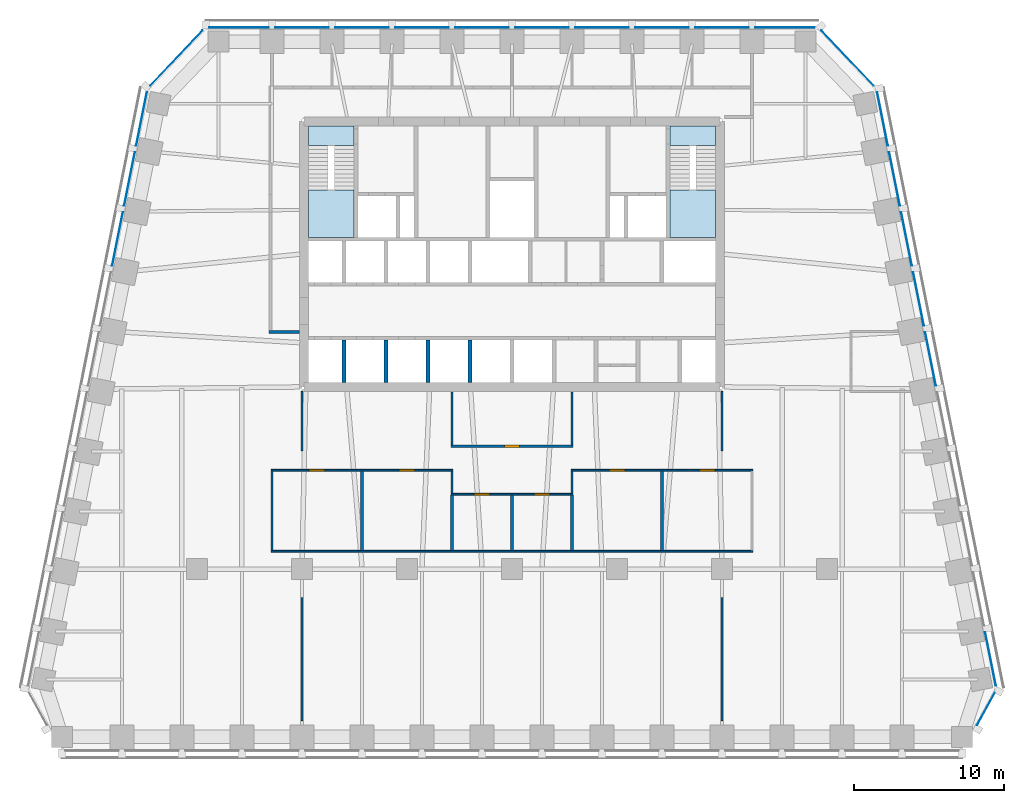
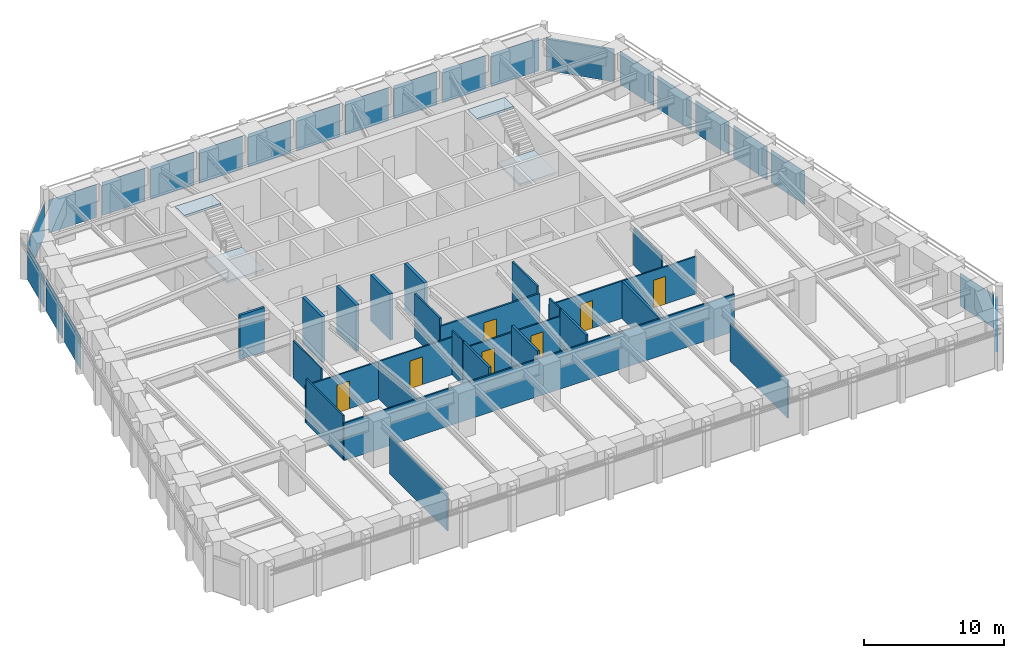
# One storey, part 5 of 10: 24 walls, 22 plates, 7 doors, 4 slabs, 7 openings, 8 elements without a shape of their own.
"""IFC4 building model written with IfcOpenShell, lengths in metres."""

from ifc_helpers import new_model, si_unit, direction, frame, frame_2d, origin, origin_2d, place, context, subcontext, project, spatial, polyline, rectangle, outline, extrude, material, layer, layer_set, type_object, element, fill, aggregate, save


model = new_model("IFC4")

# Units and contexts
model_context = context("Model", 3, precision=1e-05, world=origin(), true_north=direction((0.0, 1.0)))
body_context = subcontext(model_context, "Body", "Model", "MODEL_VIEW")
ifc_project = project(units=[si_unit("LENGTHUNIT", "METRE"), si_unit("AREAUNIT", "SQUARE_METRE"), si_unit("VOLUMEUNIT", "CUBIC_METRE"), si_unit("PLANEANGLEUNIT", "RADIAN"), si_unit("MASSUNIT", "GRAM", prefix="KILO")], contexts=[model_context])

# Site, building, storey
site_placement = place(None, origin())
site = spatial("IfcSite", under=ifc_project, at=site_placement, CompositionType="ELEMENT")
building_placement = place(site_placement, origin())
building = spatial("IfcBuilding", under=site, at=building_placement, Name="Isbrekke Arena Tower", CompositionType="ELEMENT")
storey_placement = place(building_placement, frame((0.0, 0.0, 182.0)))
storey = spatial("IfcBuildingStorey", under=building, at=storey_placement, Name="L41", CompositionType="ELEMENT", Elevation=182.0)

# Curtain wall, plate
ifc_material_1 = material(Name="Glazed aluminium curtain wall", Category="aluminium")
curtain_wall_type = type_object("IfcCurtainWallType", Name="CWH TOWER CURTAIN WALL HIGH ZONE", PredefinedType="USERDEFINED", material=ifc_material_1)
curtain_wall_1_placement = place(storey_placement, origin())
curtain_wall_1 = element("IfcCurtainWall", 1, at=curtain_wall_1_placement, inside=storey, type_object=curtain_wall_type, Name="CWH curtain wall L41-SE", ObjectType="TOWER CURTAIN WALL HIGH ZONE", PredefinedType="USERDEFINED")
ifc_material_2 = material(Name="Triple-glazed clear glass unit", Category="glass")
ifc_layer_1 = layer(ifc_material_2, 0.031982421875)
ifc_layer_set_1 = layer_set([ifc_layer_1], Name="CWH-P VISION PANEL")
plate_type = type_object("IfcPlateType", Name="CWH-P VISION PANEL", PredefinedType="CURTAIN_PANEL", material=ifc_layer_set_1)
plate_1_placement = place(storey_placement, frame((31.5908203125, -15.3154296875, 0.02001953125), z_axis=(0.0, 0.0, 1.0), x_axis=(0.481918749773, 0.876215908676, 0.0)))
plate_1 = element("IfcPlate", 2, at=plate_1_placement, type_object=plate_type, Name="CWH-P panel 1", PredefinedType="CURTAIN_PANEL", context=body_context, shape_type="SweptSolid", body=[
    extrude(rectangle(XDim=2.4423828125, YDim=0.031982421875, at=origin_2d()), origin(), (0.0, 0.0, 1.0), 2.8798828125),
])
aggregate(curtain_wall_1, [plate_1])

# Curtain wall, plates
curtain_wall_2_placement = place(storey_placement, origin())
curtain_wall_2 = element("IfcCurtainWall", 3, at=curtain_wall_2_placement, inside=storey, type_object=curtain_wall_type, Name="CWH curtain wall L41-E", ObjectType="TOWER CURTAIN WALL HIGH ZONE", PredefinedType="USERDEFINED")
plate_2_placement = place(storey_placement, frame((31.89794921875, -11.98046875, 0.02001953125), z_axis=(0.0, 0.0, 1.0), x_axis=(-0.196116135138, 0.980580675691, 0.0)))
plate_2 = element("IfcPlate", 4, at=plate_2_placement, type_object=plate_type, Name="CWH-P panel 1", PredefinedType="CURTAIN_PANEL", context=body_context, shape_type="SweptSolid", body=[
    extrude(rectangle(XDim=3.629150390625, YDim=0.031982421875, at=origin_2d()), origin(), (0.0, 0.0, 1.0), 2.8798828125),
])
plate_3_placement = place(storey_placement, frame((27.89794921875, 8.01953125, 0.02001953125), z_axis=(0.0, 0.0, 1.0), x_axis=(-0.196116135138, 0.980580675691, 0.0)))
plate_3 = element("IfcPlate", 5, at=plate_3_placement, type_object=plate_type, Name="CWH-P panel 6", PredefinedType="CURTAIN_PANEL", context=body_context, shape_type="SweptSolid", body=[
    extrude(rectangle(XDim=3.629150390625, YDim=0.031982421875, at=origin_2d()), origin(), (0.0, 0.0, 1.0), 2.8798828125),
])
plate_4_placement = place(storey_placement, frame((27.09814453125, 12.01953125, 0.02001953125), z_axis=(0.0, 0.0, 1.0), x_axis=(-0.196116135138, 0.980580675691, 0.0)))
plate_4 = element("IfcPlate", 6, at=plate_4_placement, type_object=plate_type, Name="CWH-P panel 7", PredefinedType="CURTAIN_PANEL", context=body_context, shape_type="SweptSolid", body=[
    extrude(rectangle(XDim=3.629150390625, YDim=0.031982421875, at=origin_2d()), origin(), (0.0, 0.0, 1.0), 2.8798828125),
])
plate_5_placement = place(storey_placement, frame((26.298095703125, 16.01953125, 0.02001953125), z_axis=(0.0, 0.0, 1.0), x_axis=(-0.196116135138, 0.980580675691, 0.0)))
plate_5 = element("IfcPlate", 7, at=plate_5_placement, type_object=plate_type, Name="CWH-P panel 8", PredefinedType="CURTAIN_PANEL", context=body_context, shape_type="SweptSolid", body=[
    extrude(rectangle(XDim=3.629150390625, YDim=0.031982421875, at=origin_2d()), origin(), (0.0, 0.0, 1.0), 2.8798828125),
])
plate_6_placement = place(storey_placement, frame((25.498046875, 20.01953125, 0.02001953125), z_axis=(0.0, 0.0, 1.0), x_axis=(-0.196116135138, 0.980580675691, 0.0)))
plate_6 = element("IfcPlate", 8, at=plate_6_placement, type_object=plate_type, Name="CWH-P panel 9", PredefinedType="CURTAIN_PANEL", context=body_context, shape_type="SweptSolid", body=[
    extrude(rectangle(XDim=3.629150390625, YDim=0.031982421875, at=origin_2d()), origin(), (0.0, 0.0, 1.0), 2.8798828125),
])
plate_7_placement = place(storey_placement, frame((24.697998046875, 24.01953125, 0.02001953125), z_axis=(0.0, 0.0, 1.0), x_axis=(-0.196116135138, 0.980580675691, 0.0)))
plate_7 = element("IfcPlate", 9, at=plate_7_placement, type_object=plate_type, Name="CWH-P panel 10", PredefinedType="CURTAIN_PANEL", context=body_context, shape_type="SweptSolid", body=[
    extrude(rectangle(XDim=3.629150390625, YDim=0.031982421875, at=origin_2d()), origin(), (0.0, 0.0, 1.0), 2.8798828125),
])
aggregate(curtain_wall_2, [plate_2, plate_3, plate_4, plate_5, plate_6, plate_7])

# Curtain wall, plate
curtain_wall_3_placement = place(storey_placement, origin())
curtain_wall_3 = element("IfcCurtainWall", 10, at=curtain_wall_3_placement, inside=storey, type_object=curtain_wall_type, Name="CWH curtain wall L41-EN", ObjectType="TOWER CURTAIN WALL HIGH ZONE", PredefinedType="USERDEFINED")
plate_8_placement = place(storey_placement, frame((22.37255859375, 28.06884765625, 0.02001953125), z_axis=(0.0, 0.0, 1.0), x_axis=(-0.68874946192, 0.72499943359, 0.0)))
plate_8 = element("IfcPlate", 11, at=plate_8_placement, type_object=plate_type, Name="CWH-P panel 1", PredefinedType="CURTAIN_PANEL", context=body_context, shape_type="SweptSolid", body=[
    extrude(rectangle(XDim=5.067138671875, YDim=0.031982421875, at=origin_2d()), origin(), (0.0, 0.0, 1.0), 2.8798828125),
])
aggregate(curtain_wall_3, [plate_8])

# Curtain wall, plates
curtain_wall_4_placement = place(storey_placement, origin())
curtain_wall_4 = element("IfcCurtainWall", 12, at=curtain_wall_4_placement, inside=storey, type_object=curtain_wall_type, Name="CWH curtain wall L41-N", ObjectType="TOWER CURTAIN WALL HIGH ZONE", PredefinedType="USERDEFINED")
plate_9_placement = place(storey_placement, frame((18.199951171875, 30.10009765625, 0.02001953125), z_axis=(0.0, 0.0, 1.0), x_axis=(-1.0, 0.0, 0.0)))
plate_9 = element("IfcPlate", 13, at=plate_9_placement, type_object=plate_type, Name="CWH-P panel 1", PredefinedType="CURTAIN_PANEL", context=body_context, shape_type="SweptSolid", body=[
    extrude(rectangle(XDim=3.949951171875, YDim=0.031982421875, at=origin_2d()), origin(), (0.0, 0.0, 1.0), 2.8798828125),
])
plate_10_placement = place(storey_placement, frame((14.0, 30.10009765625, 0.02001953125), z_axis=(0.0, 0.0, 1.0), x_axis=(-1.0, 0.0, 0.0)))
plate_10 = element("IfcPlate", 14, at=plate_10_placement, type_object=plate_type, Name="CWH-P panel 2", PredefinedType="CURTAIN_PANEL", context=body_context, shape_type="SweptSolid", body=[
    extrude(rectangle(XDim=3.550048828125, YDim=0.031982421875, at=origin_2d()), origin(), (0.0, 0.0, 1.0), 2.8798828125),
])
plate_11_placement = place(storey_placement, frame((10.0, 30.10009765625, 0.02001953125), z_axis=(0.0, 0.0, 1.0), x_axis=(-1.0, 0.0, 0.0)))
plate_11 = element("IfcPlate", 15, at=plate_11_placement, type_object=plate_type, Name="CWH-P panel 3", PredefinedType="CURTAIN_PANEL", context=body_context, shape_type="SweptSolid", body=[
    extrude(rectangle(XDim=3.550048828125, YDim=0.031982421875, at=origin_2d()), origin(), (0.0, 0.0, 1.0), 2.8798828125),
])
plate_12_placement = place(storey_placement, frame((6.0, 30.10009765625, 0.02001953125), z_axis=(0.0, 0.0, 1.0), x_axis=(-1.0, 0.0, 0.0)))
plate_12 = element("IfcPlate", 16, at=plate_12_placement, type_object=plate_type, Name="CWH-P panel 4", PredefinedType="CURTAIN_PANEL", context=body_context, shape_type="SweptSolid", body=[
    extrude(rectangle(XDim=3.550048828125, YDim=0.031982421875, at=origin_2d()), origin(), (0.0, 0.0, 1.0), 2.8798828125),
])
plate_13_placement = place(storey_placement, frame((2.0, 30.10009765625, 0.02001953125), z_axis=(0.0, 0.0, 1.0), x_axis=(-1.0, 0.0, 0.0)))
plate_13 = element("IfcPlate", 17, at=plate_13_placement, type_object=plate_type, Name="CWH-P panel 5", PredefinedType="CURTAIN_PANEL", context=body_context, shape_type="SweptSolid", body=[
    extrude(rectangle(XDim=3.550048828125, YDim=0.031982421875, at=origin_2d()), origin(), (0.0, 0.0, 1.0), 2.8798828125),
])
plate_14_placement = place(storey_placement, frame((-2.0, 30.10009765625, 0.02001953125), z_axis=(0.0, 0.0, 1.0), x_axis=(-1.0, 0.0, 0.0)))
plate_14 = element("IfcPlate", 18, at=plate_14_placement, type_object=plate_type, Name="CWH-P panel 6", PredefinedType="CURTAIN_PANEL", context=body_context, shape_type="SweptSolid", body=[
    extrude(rectangle(XDim=3.550048828125, YDim=0.031982421875, at=origin_2d()), origin(), (0.0, 0.0, 1.0), 2.8798828125),
])
plate_15_placement = place(storey_placement, frame((-6.0, 30.10009765625, 0.02001953125), z_axis=(0.0, 0.0, 1.0), x_axis=(-1.0, 0.0, 0.0)))
plate_15 = element("IfcPlate", 19, at=plate_15_placement, type_object=plate_type, Name="CWH-P panel 7", PredefinedType="CURTAIN_PANEL", context=body_context, shape_type="SweptSolid", body=[
    extrude(rectangle(XDim=3.550048828125, YDim=0.031982421875, at=origin_2d()), origin(), (0.0, 0.0, 1.0), 2.8798828125),
])
plate_16_placement = place(storey_placement, frame((-10.0, 30.10009765625, 0.02001953125), z_axis=(0.0, 0.0, 1.0), x_axis=(-1.0, 0.0, 0.0)))
plate_16 = element("IfcPlate", 20, at=plate_16_placement, type_object=plate_type, Name="CWH-P panel 8", PredefinedType="CURTAIN_PANEL", context=body_context, shape_type="SweptSolid", body=[
    extrude(rectangle(XDim=3.550048828125, YDim=0.031982421875, at=origin_2d()), origin(), (0.0, 0.0, 1.0), 2.8798828125),
])
plate_17_placement = place(storey_placement, frame((-14.0, 30.10009765625, 0.02001953125), z_axis=(0.0, 0.0, 1.0), x_axis=(-1.0, 0.0, 0.0)))
plate_17 = element("IfcPlate", 21, at=plate_17_placement, type_object=plate_type, Name="CWH-P panel 9", PredefinedType="CURTAIN_PANEL", context=body_context, shape_type="SweptSolid", body=[
    extrude(rectangle(XDim=3.550048828125, YDim=0.031982421875, at=origin_2d()), origin(), (0.0, 0.0, 1.0), 2.8798828125),
])
plate_18_placement = place(storey_placement, frame((-18.199951171875, 30.10009765625, 0.02001953125), z_axis=(0.0, 0.0, 1.0), x_axis=(-1.0, 0.0, 0.0)))
plate_18 = element("IfcPlate", 22, at=plate_18_placement, type_object=plate_type, Name="CWH-P panel 10", PredefinedType="CURTAIN_PANEL", context=body_context, shape_type="SweptSolid", body=[
    extrude(rectangle(XDim=3.949951171875, YDim=0.031982421875, at=origin_2d()), origin(), (0.0, 0.0, 1.0), 2.8798828125),
])
aggregate(curtain_wall_4, [plate_9, plate_10, plate_11, plate_12, plate_13, plate_14, plate_15, plate_16, plate_17, plate_18])

# Curtain wall, plate
curtain_wall_5_placement = place(storey_placement, origin())
curtain_wall_5 = element("IfcCurtainWall", 23, at=curtain_wall_5_placement, inside=storey, type_object=curtain_wall_type, Name="CWH curtain wall L41-NW", ObjectType="TOWER CURTAIN WALL HIGH ZONE", PredefinedType="USERDEFINED")
plate_19_placement = place(storey_placement, frame((-22.37255859375, 28.06884765625, 0.02001953125), z_axis=(0.0, 0.0, 1.0), x_axis=(-0.68874946192, -0.72499943359, 0.0)))
plate_19 = element("IfcPlate", 24, at=plate_19_placement, type_object=plate_type, Name="CWH-P panel 1", PredefinedType="CURTAIN_PANEL", context=body_context, shape_type="SweptSolid", body=[
    extrude(rectangle(XDim=5.067138671875, YDim=0.031982421875, at=origin_2d()), origin(), (0.0, 0.0, 1.0), 2.8798828125),
])
aggregate(curtain_wall_5, [plate_19])

# Curtain wall, plates
curtain_wall_6_placement = place(storey_placement, origin())
curtain_wall_6 = element("IfcCurtainWall", 25, at=curtain_wall_6_placement, inside=storey, type_object=curtain_wall_type, Name="CWH curtain wall L41-W", ObjectType="TOWER CURTAIN WALL HIGH ZONE", PredefinedType="USERDEFINED")
plate_20_placement = place(storey_placement, frame((-24.697998046875, 24.01953125, 0.02001953125), z_axis=(0.0, 0.0, 1.0), x_axis=(-0.196116135138, -0.980580675691, 0.0)))
plate_20 = element("IfcPlate", 26, at=plate_20_placement, type_object=plate_type, Name="CWH-P panel 1", PredefinedType="CURTAIN_PANEL", context=body_context, shape_type="SweptSolid", body=[
    extrude(rectangle(XDim=3.629150390625, YDim=0.031982421875, at=origin_2d()), origin(), (0.0, 0.0, 1.0), 2.8798828125),
])
plate_21_placement = place(storey_placement, frame((-25.498046875, 20.01953125, 0.02001953125), z_axis=(0.0, 0.0, 1.0), x_axis=(-0.196116135138, -0.980580675691, 0.0)))
plate_21 = element("IfcPlate", 27, at=plate_21_placement, type_object=plate_type, Name="CWH-P panel 2", PredefinedType="CURTAIN_PANEL", context=body_context, shape_type="SweptSolid", body=[
    extrude(rectangle(XDim=3.629150390625, YDim=0.031982421875, at=origin_2d()), origin(), (0.0, 0.0, 1.0), 2.8798828125),
])
plate_22_placement = place(storey_placement, frame((-26.298095703125, 16.01953125, 0.02001953125), z_axis=(0.0, 0.0, 1.0), x_axis=(-0.196116135138, -0.980580675691, 0.0)))
plate_22 = element("IfcPlate", 28, at=plate_22_placement, type_object=plate_type, Name="CWH-P panel 3", PredefinedType="CURTAIN_PANEL", context=body_context, shape_type="SweptSolid", body=[
    extrude(rectangle(XDim=3.629150390625, YDim=0.031982421875, at=origin_2d()), origin(), (0.0, 0.0, 1.0), 2.8798828125),
])
aggregate(curtain_wall_6, [plate_20, plate_21, plate_22])

# Stair, slabs
ifc_material_3 = material(Name="Concrete B45 (C45/55) precast", Category="concrete")
stair_type = type_object("IfcStairType", Name="ST40 STAIR 1300 WIDE, 24 RISERS 167", PredefinedType="HALF_TURN_STAIR", material=ifc_material_3)
stair_1_placement = place(storey_placement, origin())
stair_1 = element("IfcStair", 29, at=stair_1_placement, inside=storey, type_object=stair_type, Name="ST1 stair L41", PredefinedType="HALF_TURN_STAIR")
ifc_material_4 = material(Name="Concrete B35 (C35/45)", Category="concrete")
ifc_layer_2 = layer(ifc_material_4, 0.199951171875)
ifc_layer_set_2 = layer_set([ifc_layer_2], Name="SL1 STAIR LANDING 200")
slab_type = type_object("IfcSlabType", Name="SL1 STAIR LANDING 200", PredefinedType="LANDING", material=ifc_layer_set_2)
slab_1_placement = place(storey_placement, frame((0.0, 0.0, 1.800048828125)))
slab_1 = element("IfcSlab", 30, at=slab_1_placement, type_object=slab_type, Name="ST1 landing 1", PredefinedType="LANDING", context=body_context, shape_type="SweptSolid", body=[
    extrude(outline(polyline([(-13.550048828125, 16.125), (-10.52490234375, 16.125), (-10.52490234375, 19.280029296875), (-13.550048828125, 19.280029296875), (-13.550048828125, 16.125)])), origin(), (0.0, 0.0, 1.0), 0.199951171875),
])
slab_2_placement = place(storey_placement, frame((0.0, 0.0, 3.800048828125)))
slab_2 = element("IfcSlab", 31, at=slab_2_placement, type_object=slab_type, Name="ST1 landing 2", PredefinedType="LANDING", context=body_context, shape_type="SweptSolid", body=[
    extrude(outline(polyline([(-13.550048828125, 22.25), (-10.52490234375, 22.25), (-10.52490234375, 23.550048828125), (-13.550048828125, 23.550048828125), (-13.550048828125, 22.25)])), origin(), (0.0, 0.0, 1.0), 0.199951171875),
])
aggregate(stair_1, [slab_1, slab_2])

stair_2_placement = place(storey_placement, origin())
stair_2 = element("IfcStair", 32, at=stair_2_placement, inside=storey, type_object=stair_type, Name="ST2 stair L41", PredefinedType="HALF_TURN_STAIR")
slab_3_placement = place(storey_placement, frame((0.0, 0.0, 1.800048828125)))
slab_3 = element("IfcSlab", 33, at=slab_3_placement, type_object=slab_type, Name="ST2 landing 1", PredefinedType="LANDING", context=body_context, shape_type="SweptSolid", body=[
    extrude(outline(polyline([(10.52490234375, 16.125), (13.550048828125, 16.125), (13.550048828125, 19.280029296875), (10.52490234375, 19.280029296875), (10.52490234375, 16.125)])), origin(), (0.0, 0.0, 1.0), 0.199951171875),
])
slab_4_placement = place(storey_placement, frame((0.0, 0.0, 3.800048828125)))
slab_4 = element("IfcSlab", 34, at=slab_4_placement, type_object=slab_type, Name="ST2 landing 2", PredefinedType="LANDING", context=body_context, shape_type="SweptSolid", body=[
    extrude(outline(polyline([(10.52490234375, 22.25), (13.550048828125, 22.25), (13.550048828125, 23.550048828125), (10.52490234375, 23.550048828125), (10.52490234375, 22.25)])), origin(), (0.0, 0.0, 1.0), 0.199951171875),
])
aggregate(stair_2, [slab_3, slab_4])

# Walls
ifc_material_5 = material(Name="Concrete B45 (C45/55)", Category="concrete")
ifc_layer_3 = layer(ifc_material_5, 0.25)
ifc_layer_set_3 = layer_set([ifc_layer_3], Name="CW6 SHAFT WALL 250")
wall_type_1 = type_object("IfcWallType", Name="CW6 SHAFT WALL 250", PredefinedType="SHEAR", material=ifc_layer_set_3)
for number, where, z_axis, x_axis, name in (
    (35, (-11.199951171875, 6.449951171875, 0.0), (0.0, 0.0, 1.0), (0.0, 1.0, 0.0), "Core wall SS01 L41"),
    (36, (-8.39990234375, 6.449951171875, 0.0), (0.0, 0.0, 1.0), (0.0, 1.0, 0.0), "Core wall SS02 L41"),
    (37, (-5.60009765625, 6.449951171875, 0.0), (0.0, 0.0, 1.0), (0.0, 1.0, 0.0), "Core wall SS03 L41"),
    (38, (-2.800048828125, 6.449951171875, 0.0), (0.0, 0.0, 1.0), (0.0, 1.0, 0.0), "Core wall SS04 L41"),
):
    element("IfcWall", number, at=place(storey_placement, frame(where, z_axis=z_axis, x_axis=x_axis)), inside=storey, type_object=wall_type_1, Name=name, PredefinedType="SHEAR", context=body_context, shape_type="SweptSolid", body=[
        extrude(rectangle(XDim=2.824951171875, YDim=0.25, at=frame_2d((1.41259765625, 0.0))), origin(), (0.0, 0.0, 1.0), 4.0),
    ])

# Wall, opening, door
ifc_material_6 = material(Name="Gypsum board partition on steel studs", Category="steel")
ifc_layer_4 = layer(ifc_material_6, 0.14990234375)
ifc_layer_set_4 = layer_set([ifc_layer_4], Name="IW1 PARTITION 150")
wall_type_2 = type_object("IfcWallType", Name="IW1 PARTITION 150", PredefinedType="PARTITIONING", material=ifc_layer_set_4)
wall_1_placement = place(storey_placement, frame((-4.074951171875, 2.199951171875, 0.0), z_axis=(0.0, 0.0, 1.0), x_axis=(1.0, 0.0, 0.0)))
wall_1 = element("IfcWall", 39, at=wall_1_placement, inside=storey, type_object=wall_type_2, Name="IW1 partition 150 L41", PredefinedType="PARTITIONING", context=body_context, shape_type="SweptSolid", body=[
    extrude(rectangle(XDim=8.14990234375, YDim=0.14990234375, at=frame_2d((4.074951171875, 0.0))), origin(), (0.0, 0.0, 1.0), 3.25),
])
opening_1_placement = place(wall_1_placement, frame((3.574951171875, 0.0, 0.0)))
opening_1 = element("IfcOpeningElement", 40, at=opening_1_placement, cuts=wall_1, Name="Opening D10", PredefinedType="OPENING", context=body_context, shape_type="SweptSolid", body=[
    extrude(rectangle(XDim=1.0, YDim=2.300048828125, at=frame_2d((0.5, 1.14990234375))), frame((0.0, 0.08984375, 0.0), z_axis=(0.0, -1.0, 0.0), x_axis=(1.0, 0.0, 0.0)), (0.0, 0.0, 1.0), 0.1796875),
])
ifc_material_7 = material(Name="Timber door", Category="wood")
door_type_1 = type_object("IfcDoorType", Name="D10 OFFICE DOOR 1000 x 2300", OperationType="SINGLE_SWING_LEFT", PredefinedType="DOOR", material=ifc_material_7)
door_1_placement = place(opening_1_placement, origin())
door_1 = element("IfcDoor", 41, at=door_1_placement, inside=storey, type_object=door_type_1, Name="D10 technical room door L41", OperationType="SINGLE_SWING_LEFT", OverallHeight=2.300048828125, OverallWidth=1.0, PredefinedType="DOOR", context=body_context, shape_type="SweptSolid", body=[
    extrude(rectangle(XDim=1.0, YDim=2.300048828125, at=frame_2d((0.5, 1.14990234375))), frame((0.0, 0.07470703125, 0.0), z_axis=(0.0, -1.0, 0.0), x_axis=(1.0, 0.0, 0.0)), (0.0, 0.0, 1.0), 0.1494140625),
])
fill(opening_1, door_1)

# Walls
for number, where, z_axis, x_axis, name in (
    (42, (-4.0, 2.27490234375, 0.0), (0.0, 0.0, 1.0), (0.0, 1.0, 0.0), "IW1 partition 150 L41"),
    (43, (4.0, 2.27490234375, 0.0), (0.0, 0.0, 1.0), (0.0, 1.0, 0.0), "IW1 partition 150 L41"),
):
    element("IfcWall", number, at=place(storey_placement, frame(where, z_axis=z_axis, x_axis=x_axis)), inside=storey, type_object=wall_type_2, Name=name, PredefinedType="PARTITIONING", context=body_context, shape_type="SweptSolid", body=[
        extrude(rectangle(XDim=3.545166015625, YDim=0.14990234375, at=frame_2d((1.7724609375, 0.0))), origin(), (0.0, 0.0, 1.0), 3.85009765625),
    ])
ifc_material_8 = material(Name="Frameless glazed partition, laminated acoustic glass", Category="glass")
ifc_layer_5 = layer(ifc_material_8, 0.1201171875)
ifc_layer_set_5 = layer_set([ifc_layer_5], Name="IW2 GLAZED PARTITION 120")
wall_type_3 = type_object("IfcWallType", Name="IW2 GLAZED PARTITION 120", PredefinedType="PARTITIONING", material=ifc_layer_set_5)
wall_2_placement = place(storey_placement, frame((-16.06005859375, -4.800048828125, 0.0), z_axis=(0.0, 0.0, 1.0), x_axis=(1.0, 0.0, 0.0)))
element("IfcWall", 44, at=wall_2_placement, inside=storey, type_object=wall_type_3, Name="IW2 glazed partition 120 L41", PredefinedType="PARTITIONING", context=body_context, shape_type="SweptSolid", body=[
    extrude(rectangle(XDim=32.1201171875, YDim=0.1201171875, at=frame_2d((16.06005859375, 0.0))), origin(), (0.0, 0.0, 1.0), 3.25),
])

# Wall, openings, doors
wall_3_placement = place(storey_placement, frame((-4.06005859375, -1.0, 0.0), z_axis=(0.0, 0.0, 1.0), x_axis=(1.0, 0.0, 0.0)))
wall_3 = element("IfcWall", 45, at=wall_3_placement, inside=storey, type_object=wall_type_3, Name="IW2 glazed partition 120 L41", PredefinedType="PARTITIONING", context=body_context, shape_type="SweptSolid", body=[
    extrude(rectangle(XDim=8.1201171875, YDim=0.1201171875, at=frame_2d((4.06005859375, 0.0))), origin(), (0.0, 0.0, 1.0), 3.25),
])
opening_2_placement = place(wall_3_placement, frame((1.56005859375, 0.0, 0.0)))
opening_2 = element("IfcOpeningElement", 46, at=opening_2_placement, cuts=wall_3, Name="Opening D11", PredefinedType="OPENING", context=body_context, shape_type="SweptSolid", body=[
    extrude(rectangle(XDim=1.0, YDim=2.39990234375, at=frame_2d((0.5, 1.199951171875))), frame((0.0, 0.074951171875, 0.0), z_axis=(0.0, -1.0, 0.0), x_axis=(1.0, 0.0, 0.0)), (0.0, 0.0, 1.0), 0.14990234375),
])
opening_3_placement = place(wall_3_placement, frame((5.56005859375, 0.0, 0.0)))
opening_3 = element("IfcOpeningElement", 47, at=opening_3_placement, cuts=wall_3, Name="Opening D11", PredefinedType="OPENING", context=body_context, shape_type="SweptSolid", body=[
    extrude(rectangle(XDim=1.0, YDim=2.39990234375, at=frame_2d((0.5, 1.199951171875))), frame((0.0, 0.074951171875, 0.0), z_axis=(0.0, -1.0, 0.0), x_axis=(1.0, 0.0, 0.0)), (0.0, 0.0, 1.0), 0.14990234375),
])
ifc_material_9 = material(Name="Frameless glazed door", Category="glass")
door_type_2 = type_object("IfcDoorType", Name="D11 GLAZED MEETING ROOM DOOR 1000 x 2400", OperationType="SINGLE_SWING_RIGHT", PredefinedType="DOOR", material=ifc_material_9)
door_2_placement = place(opening_2_placement, origin())
door_2 = element("IfcDoor", 48, at=door_2_placement, inside=storey, type_object=door_type_2, Name="D11 quiet room door L41", OperationType="SINGLE_SWING_RIGHT", OverallHeight=2.39990234375, OverallWidth=1.0, PredefinedType="DOOR", context=body_context, shape_type="SweptSolid", body=[
    extrude(rectangle(XDim=1.0, YDim=2.39990234375, at=frame_2d((0.5, 1.199951171875))), frame((0.0, 0.059814453125, 0.0), z_axis=(0.0, -1.0, 0.0), x_axis=(1.0, 0.0, 0.0)), (0.0, 0.0, 1.0), 0.11962890625),
])
fill(opening_2, door_2)
door_3_placement = place(opening_3_placement, origin())
door_3 = element("IfcDoor", 49, at=door_3_placement, inside=storey, type_object=door_type_2, Name="D11 quiet room door L41", OperationType="SINGLE_SWING_RIGHT", OverallHeight=2.39990234375, OverallWidth=1.0, PredefinedType="DOOR", context=body_context, shape_type="SweptSolid", body=[
    extrude(rectangle(XDim=1.0, YDim=2.39990234375, at=frame_2d((0.5, 1.199951171875))), frame((0.0, 0.059814453125, 0.0), z_axis=(0.0, -1.0, 0.0), x_axis=(1.0, 0.0, 0.0)), (0.0, 0.0, 1.0), 0.11962890625),
])
fill(opening_3, door_3)

wall_4_placement = place(storey_placement, frame((-16.06005859375, 0.60009765625, 0.0), z_axis=(0.0, 0.0, 1.0), x_axis=(1.0, 0.0, 0.0)))
wall_4 = element("IfcWall", 50, at=wall_4_placement, inside=storey, type_object=wall_type_3, Name="IW2 glazed partition 120 L41", PredefinedType="PARTITIONING", context=body_context, shape_type="SweptSolid", body=[
    extrude(rectangle(XDim=12.1201171875, YDim=0.1201171875, at=frame_2d((6.06005859375, 0.0))), origin(), (0.0, 0.0, 1.0), 3.25),
])
opening_4_placement = place(wall_4_placement, frame((2.56005859375, 0.0, 0.0)))
opening_4 = element("IfcOpeningElement", 51, at=opening_4_placement, cuts=wall_4, Name="Opening D11", PredefinedType="OPENING", context=body_context, shape_type="SweptSolid", body=[
    extrude(rectangle(XDim=1.0, YDim=2.39990234375, at=frame_2d((0.5, 1.199951171875))), frame((0.0, 0.074951171875, 0.0), z_axis=(0.0, -1.0, 0.0), x_axis=(1.0, 0.0, 0.0)), (0.0, 0.0, 1.0), 0.14990234375),
])
opening_5_placement = place(wall_4_placement, frame((8.56005859375, 0.0, 0.0)))
opening_5 = element("IfcOpeningElement", 52, at=opening_5_placement, cuts=wall_4, Name="Opening D11", PredefinedType="OPENING", context=body_context, shape_type="SweptSolid", body=[
    extrude(rectangle(XDim=1.0, YDim=2.39990234375, at=frame_2d((0.5, 1.199951171875))), frame((0.0, 0.074951171875, 0.0), z_axis=(0.0, -1.0, 0.0), x_axis=(1.0, 0.0, 0.0)), (0.0, 0.0, 1.0), 0.14990234375),
])
door_4_placement = place(opening_4_placement, origin())
door_4 = element("IfcDoor", 53, at=door_4_placement, inside=storey, type_object=door_type_2, Name="D11 meeting room door L41", OperationType="SINGLE_SWING_RIGHT", OverallHeight=2.39990234375, OverallWidth=1.0, PredefinedType="DOOR", context=body_context, shape_type="SweptSolid", body=[
    extrude(rectangle(XDim=1.0, YDim=2.39990234375, at=frame_2d((0.5, 1.199951171875))), frame((0.0, 0.059814453125, 0.0), z_axis=(0.0, -1.0, 0.0), x_axis=(1.0, 0.0, 0.0)), (0.0, 0.0, 1.0), 0.11962890625),
])
fill(opening_4, door_4)
door_5_placement = place(opening_5_placement, origin())
door_5 = element("IfcDoor", 54, at=door_5_placement, inside=storey, type_object=door_type_2, Name="D11 meeting room door L41", OperationType="SINGLE_SWING_RIGHT", OverallHeight=2.39990234375, OverallWidth=1.0, PredefinedType="DOOR", context=body_context, shape_type="SweptSolid", body=[
    extrude(rectangle(XDim=1.0, YDim=2.39990234375, at=frame_2d((0.5, 1.199951171875))), frame((0.0, 0.059814453125, 0.0), z_axis=(0.0, -1.0, 0.0), x_axis=(1.0, 0.0, 0.0)), (0.0, 0.0, 1.0), 0.11962890625),
])
fill(opening_5, door_5)

wall_5_placement = place(storey_placement, frame((3.93994140625, 0.60009765625, 0.0), z_axis=(0.0, 0.0, 1.0), x_axis=(1.0, 0.0, 0.0)))
wall_5 = element("IfcWall", 55, at=wall_5_placement, inside=storey, type_object=wall_type_3, Name="IW2 glazed partition 120 L41", PredefinedType="PARTITIONING", context=body_context, shape_type="SweptSolid", body=[
    extrude(rectangle(XDim=12.1201171875, YDim=0.1201171875, at=frame_2d((6.06005859375, 0.0))), origin(), (0.0, 0.0, 1.0), 3.25),
])
opening_6_placement = place(wall_5_placement, frame((2.56005859375, 0.0, 0.0)))
opening_6 = element("IfcOpeningElement", 56, at=opening_6_placement, cuts=wall_5, Name="Opening D11", PredefinedType="OPENING", context=body_context, shape_type="SweptSolid", body=[
    extrude(rectangle(XDim=1.0, YDim=2.39990234375, at=frame_2d((0.5, 1.199951171875))), frame((0.0, 0.074951171875, 0.0), z_axis=(0.0, -1.0, 0.0), x_axis=(1.0, 0.0, 0.0)), (0.0, 0.0, 1.0), 0.14990234375),
])
opening_7_placement = place(wall_5_placement, frame((8.56005859375, 0.0, 0.0)))
opening_7 = element("IfcOpeningElement", 57, at=opening_7_placement, cuts=wall_5, Name="Opening D11", PredefinedType="OPENING", context=body_context, shape_type="SweptSolid", body=[
    extrude(rectangle(XDim=1.0, YDim=2.39990234375, at=frame_2d((0.5, 1.199951171875))), frame((0.0, 0.074951171875, 0.0), z_axis=(0.0, -1.0, 0.0), x_axis=(1.0, 0.0, 0.0)), (0.0, 0.0, 1.0), 0.14990234375),
])
door_6_placement = place(opening_6_placement, origin())
door_6 = element("IfcDoor", 58, at=door_6_placement, inside=storey, type_object=door_type_2, Name="D11 meeting room door L41", OperationType="SINGLE_SWING_RIGHT", OverallHeight=2.39990234375, OverallWidth=1.0, PredefinedType="DOOR", context=body_context, shape_type="SweptSolid", body=[
    extrude(rectangle(XDim=1.0, YDim=2.39990234375, at=frame_2d((0.5, 1.199951171875))), frame((0.0, 0.059814453125, 0.0), z_axis=(0.0, -1.0, 0.0), x_axis=(1.0, 0.0, 0.0)), (0.0, 0.0, 1.0), 0.11962890625),
])
fill(opening_6, door_6)
door_7_placement = place(opening_7_placement, origin())
door_7 = element("IfcDoor", 59, at=door_7_placement, inside=storey, type_object=door_type_2, Name="D11 meeting room door L41", OperationType="SINGLE_SWING_RIGHT", OverallHeight=2.39990234375, OverallWidth=1.0, PredefinedType="DOOR", context=body_context, shape_type="SweptSolid", body=[
    extrude(rectangle(XDim=1.0, YDim=2.39990234375, at=frame_2d((0.5, 1.199951171875))), frame((0.0, 0.059814453125, 0.0), z_axis=(0.0, -1.0, 0.0), x_axis=(1.0, 0.0, 0.0)), (0.0, 0.0, 1.0), 0.11962890625),
])
fill(opening_7, door_7)

# Walls
wall_6_placement = place(storey_placement, frame((-16.0, -4.739990234375, 0.0), z_axis=(0.0, 0.0, 1.0), x_axis=(0.0, 1.0, 0.0)))
element("IfcWall", 60, at=wall_6_placement, inside=storey, type_object=wall_type_3, Name="IW2 glazed partition 120 L41", PredefinedType="PARTITIONING", context=body_context, shape_type="SweptSolid", body=[
    extrude(rectangle(XDim=5.280029296875, YDim=0.1201171875, at=frame_2d((2.64013671875, 0.0))), origin(), (0.0, 0.0, 1.0), 3.85009765625),
])
for number, where, z_axis, x_axis, name in (
    (61, (-4.0, -0.93994140625, 0.0), (0.0, 0.0, 1.0), (0.0, 1.0, 0.0), "IW2 glazed partition 120 L41"),
    (62, (4.0, -0.93994140625, 0.0), (0.0, 0.0, 1.0), (0.0, 1.0, 0.0), "IW2 glazed partition 120 L41"),
):
    element("IfcWall", number, at=place(storey_placement, frame(where, z_axis=z_axis, x_axis=x_axis)), inside=storey, type_object=wall_type_3, Name=name, PredefinedType="PARTITIONING", context=body_context, shape_type="SweptSolid", body=[
        extrude(rectangle(XDim=1.47998046875, YDim=0.1201171875, at=frame_2d((0.739990234375, 0.0))), origin(), (0.0, 0.0, 1.0), 3.85009765625),
    ])
wall_7_placement = place(storey_placement, frame((-13.9990234375, -16.10009765625, 0.0), z_axis=(0.0, 0.0, 1.0), x_axis=(0.0, 1.0, 0.0)))
element("IfcWall", 63, at=wall_7_placement, inside=storey, type_object=wall_type_3, Name="IW2 glazed partition 120 L41", PredefinedType="PARTITIONING", context=body_context, shape_type="SweptSolid", body=[
    extrude(rectangle(XDim=8.2001953125, YDim=0.1201171875, at=frame_2d((4.10009765625, 0.0))), origin(), (0.0, 0.0, 1.0), 3.25),
])
wall_8_placement = place(storey_placement, frame((-13.9990234375, 1.8798828125, 0.0), z_axis=(0.0, 0.0, 1.0), x_axis=(0.0, 1.0, 0.0)))
element("IfcWall", 64, at=wall_8_placement, inside=storey, type_object=wall_type_3, Name="IW2 glazed partition 120 L41", PredefinedType="PARTITIONING", context=body_context, shape_type="SweptSolid", body=[
    extrude(rectangle(XDim=3.97021484375, YDim=0.1201171875, at=frame_2d((1.985107421875, 0.0))), origin(), (0.0, 0.0, 1.0), 3.25),
])
wall_9_placement = place(storey_placement, frame((14.0009765625, -16.10009765625, 0.0), z_axis=(0.0, 0.0, 1.0), x_axis=(0.0, 1.0, 0.0)))
element("IfcWall", 65, at=wall_9_placement, inside=storey, type_object=wall_type_3, Name="IW2 glazed partition 120 L41", PredefinedType="PARTITIONING", context=body_context, shape_type="SweptSolid", body=[
    extrude(rectangle(XDim=8.2001953125, YDim=0.1201171875, at=frame_2d((4.10009765625, 0.0))), origin(), (0.0, 0.0, 1.0), 3.25),
])
wall_10_placement = place(storey_placement, frame((14.0009765625, 1.8798828125, 0.0), z_axis=(0.0, 0.0, 1.0), x_axis=(0.0, 1.0, 0.0)))
element("IfcWall", 66, at=wall_10_placement, inside=storey, type_object=wall_type_3, Name="IW2 glazed partition 120 L41", PredefinedType="PARTITIONING", context=body_context, shape_type="SweptSolid", body=[
    extrude(rectangle(XDim=3.97021484375, YDim=0.1201171875, at=frame_2d((1.985107421875, 0.0))), origin(), (0.0, 0.0, 1.0), 3.25),
])
ifc_material_10 = material(Name="Gypsum board fire-cell wall on steel studs, two layers each side", Category="steel")
ifc_layer_6 = layer(ifc_material_10, 0.199951171875)
ifc_layer_set_6 = layer_set([ifc_layer_6], Name="IW3 FIRE-CELL WALL 200")
wall_type_4 = type_object("IfcWallType", Name="IW3 FIRE-CELL WALL 200", PredefinedType="PARTITIONING", material=ifc_layer_set_6)
wall_11_placement = place(storey_placement, frame((-16.199951171875, 9.800048828125, 0.0), z_axis=(0.0, 0.0, 1.0), x_axis=(1.0, 0.0, 0.0)))
element("IfcWall", 67, at=wall_11_placement, inside=storey, type_object=wall_type_4, Name="IW3 fire-cell wall 200 L41", PredefinedType="PARTITIONING", context=body_context, shape_type="SweptSolid", body=[
    extrude(rectangle(XDim=2.02001953125, YDim=0.199951171875, at=frame_2d((1.010009765625, 0.0))), origin(), (0.0, 0.0, 1.0), 3.85009765625),
])
ifc_material_11 = material(Name="Gypsum board acoustic partition on twin steel studs", Category="steel")
ifc_layer_7 = layer(ifc_material_11, 0.175048828125)
ifc_layer_set_7 = layer_set([ifc_layer_7], Name="IW4 ACOUSTIC PARTITION 175")
wall_type_5 = type_object("IfcWallType", Name="IW4 ACOUSTIC PARTITION 175", PredefinedType="PARTITIONING", material=ifc_layer_set_7)
wall_12_placement = place(storey_placement, frame((-10.0, -4.739990234375, 0.0), z_axis=(0.0, 0.0, 1.0), x_axis=(0.0, 1.0, 0.0)))
element("IfcWall", 68, at=wall_12_placement, inside=storey, type_object=wall_type_5, Name="IW4 acoustic partition 175 L41", PredefinedType="PARTITIONING", context=body_context, shape_type="SweptSolid", body=[
    extrude(rectangle(XDim=5.280029296875, YDim=0.175048828125, at=frame_2d((2.64013671875, 0.0))), origin(), (0.0, 0.0, 1.0), 3.25),
])
for number, where, z_axis, x_axis, name in (
    (69, (-4.0, -4.739990234375, 0.0), (0.0, 0.0, 1.0), (0.0, 1.0, 0.0), "IW4 acoustic partition 175 L41"),
    (70, (0.0, -4.739990234375, 0.0), (0.0, 0.0, 1.0), (0.0, 1.0, 0.0), "IW4 acoustic partition 175 L41"),
    (71, (4.0, -4.739990234375, 0.0), (0.0, 0.0, 1.0), (0.0, 1.0, 0.0), "IW4 acoustic partition 175 L41"),
):
    element("IfcWall", number, at=place(storey_placement, frame(where, z_axis=z_axis, x_axis=x_axis)), inside=storey, type_object=wall_type_5, Name=name, PredefinedType="PARTITIONING", context=body_context, shape_type="SweptSolid", body=[
        extrude(rectangle(XDim=3.679931640625, YDim=0.175048828125, at=frame_2d((1.83984375, 0.0))), origin(), (0.0, 0.0, 1.0), 3.85009765625),
    ])
wall_13_placement = place(storey_placement, frame((10.0, -4.739990234375, 0.0), z_axis=(0.0, 0.0, 1.0), x_axis=(0.0, 1.0, 0.0)))
element("IfcWall", 72, at=wall_13_placement, inside=storey, type_object=wall_type_5, Name="IW4 acoustic partition 175 L41", PredefinedType="PARTITIONING", context=body_context, shape_type="SweptSolid", body=[
    extrude(rectangle(XDim=5.280029296875, YDim=0.175048828125, at=frame_2d((2.64013671875, 0.0))), origin(), (0.0, 0.0, 1.0), 3.25),
])

save(model, "model.ifc")
